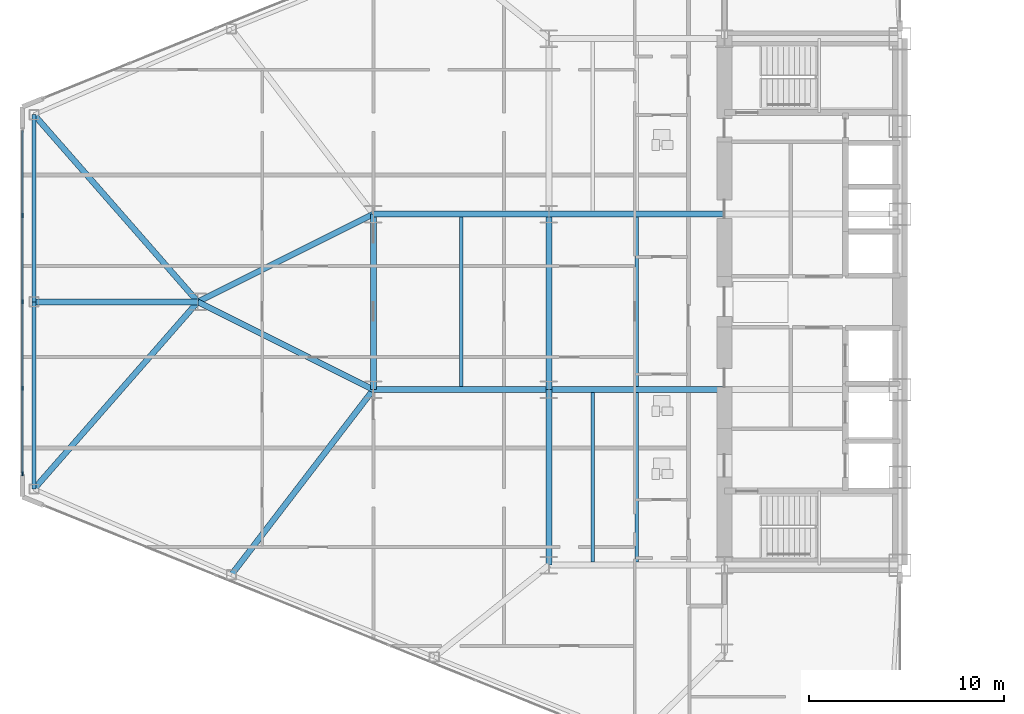
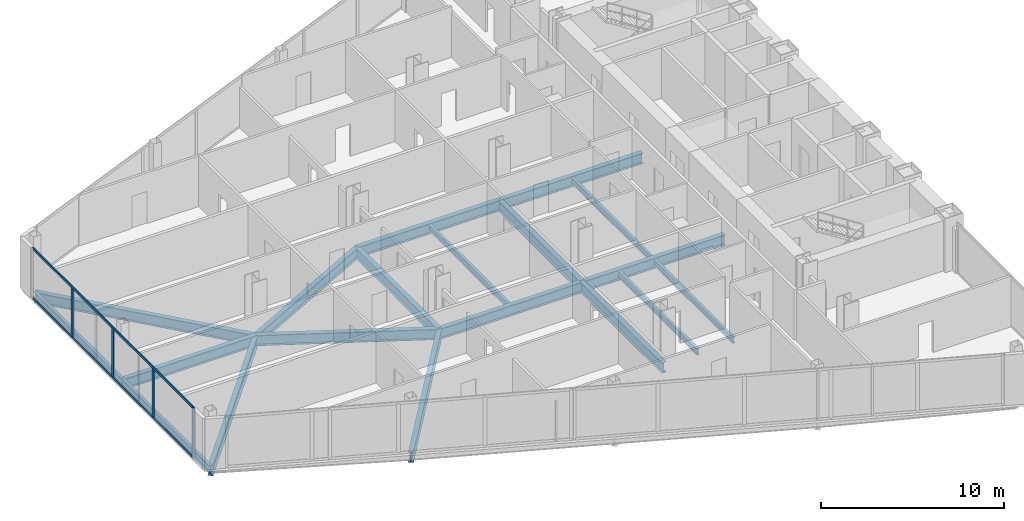
# One storey, part 4 of 25: 19 beams, 6 members, 1 element without a shape of its own.
"""IFC4 building model written with IfcOpenShell, lengths in metres."""

from ifc_helpers import new_model, si_unit, direction, frame, origin, origin_2d, place, context, subcontext, project, spatial, rectangle, i_section, extrude, source, transform, mapped, material, layer, layer_set, material_profile, profile_set, type_object, type_shapes, element, aggregate, save


model = new_model("IFC4")

# Units and contexts
model_context = context("Model", 3, precision=1e-05, world=origin(), true_north=direction((0.0, 1.0)))
body_context = subcontext(model_context, "Body", "Model", "MODEL_VIEW")
ifc_project = project(units=[si_unit("LENGTHUNIT", "METRE"), si_unit("AREAUNIT", "SQUARE_METRE"), si_unit("VOLUMEUNIT", "CUBIC_METRE"), si_unit("PLANEANGLEUNIT", "RADIAN"), si_unit("MASSUNIT", "GRAM", prefix="KILO")], contexts=[model_context])

# Site, building, storey
site_placement = place(None, origin())
site = spatial("IfcSite", under=ifc_project, at=site_placement, CompositionType="ELEMENT")
building_placement = place(site_placement, origin())
building = spatial("IfcBuilding", under=site, at=building_placement, Name="Seokmaru Belvedere", CompositionType="ELEMENT")
storey_placement = place(building_placement, frame((0.0, 0.0, 22.5)))
storey = spatial("IfcBuildingStorey", under=building, at=storey_placement, Name="L05", CompositionType="ELEMENT", Elevation=22.5)

# Beams
ifc_material_1 = material(Name="Steel SM355 (355 MPa)", Category="steel")
ifc_material_profile_1 = material_profile(ifc_material_1, i_section(OverallWidth=0.300048828125, OverallDepth=0.699951171875, WebThickness=0.012939453125, FlangeThickness=0.02392578125, at=origin_2d()), Name="H-700x300x13x24")
ifc_profile_set_1 = profile_set([ifc_material_profile_1], Name="Steel SM355 (355 MPa)")
beam_type_1 = type_object("IfcBeamType", Name="Primary Floor Girder H-700", PredefinedType="BEAM", material=ifc_profile_set_1)
shared_shape_1 = source(origin(), body_context, "Body", "SweptSolid", [
    extrude(i_section(OverallWidth=0.300048828125, OverallDepth=0.699951171875, WebThickness=0.012939453125, FlangeThickness=0.02392578125, at=origin_2d()), origin(), (0.0, 0.0, 1.0), 9.0),
])
for number, where, z_axis, x_axis, name in (
    (1, (-45.5, -13.5, -0.570068359375), (0.0, 1.0, 0.0), (-1.0, 0.0, 0.0), "L05 W Interior Grid Girder 1"),
    (2, (-45.5, -4.5, -0.570068359375), (0.0, 1.0, 0.0), (-1.0, 0.0, 0.0), "L05 W Interior Grid Girder 2"),
    (3, (-45.5, -4.5, -0.570068359375), (1.0, 0.0, 0.0), (0.0, 1.0, 0.0), "L05 W Wing Primary Girder 2"),
    (4, (-45.5, 4.5, -0.570068359375), (1.0, 0.0, 0.0), (0.0, 1.0, 0.0), "L05 W Wing Primary Girder 3"),
    (5, (-54.5, -4.5, -0.570068359375), (1.0, 0.0, 0.0), (0.0, 1.0, 0.0), "L05 W Outer Wing Girder 1"),
    (6, (-54.5, 4.5, -0.570068359375), (1.0, 0.0, 0.0), (0.0, 1.0, 0.0), "L05 W Outer Wing Girder 2"),
    (7, (-54.5, -4.5, -0.570068359375), (0.0, 1.0, 0.0), (-1.0, 0.0, 0.0), "L05 W Apex Frame Girder"),
):
    element("IfcBeam", number, at=place(storey_placement, frame(where, z_axis=z_axis, x_axis=x_axis)), inside=storey, type_object=beam_type_1, Name=name, PredefinedType="BEAM", context=body_context, shape_type="MappedRepresentation", body=[
        mapped(shared_shape_1, transform((0.0, 0.0, 0.0), scale=1.0)),
    ])
shared_shape_2 = source(origin(), body_context, "Body", "SweptSolid", [
    extrude(i_section(OverallWidth=0.300048828125, OverallDepth=0.699951171875, WebThickness=0.012939453125, FlangeThickness=0.02392578125, at=origin_2d()), origin(), (0.0, 0.0, 1.0), 10.062255859375),
])
for number, where, z_axis, x_axis, name in (
    (8, (-54.5, -4.5, -0.570068359375), (-0.894427191, 0.4472135955, 0.0), (-0.4472135955, -0.894427191, 0.0), "L05 W Apex Converging Girder 1"),
    (9, (-54.5, 4.5, -0.570068359375), (-0.894427191, -0.4472135955, 0.0), (0.4472135955, -0.894427191, 0.0), "L05 W Apex Converging Girder 2"),
):
    element("IfcBeam", number, at=place(storey_placement, frame(where, z_axis=z_axis, x_axis=x_axis)), inside=storey, type_object=beam_type_1, Name=name, PredefinedType="BEAM", context=body_context, shape_type="MappedRepresentation", body=[
        mapped(shared_shape_2, transform((0.0, 0.0, 0.0), scale=1.0)),
    ])
ifc_material_profile_2 = material_profile(ifc_material_1, i_section(OverallWidth=0.18505859375, OverallDepth=0.389892578125, WebThickness=0.008056640625, FlangeThickness=0.011962890625, at=origin_2d()), Name="H-390x185x8x12")
ifc_profile_set_2 = profile_set([ifc_material_profile_2], Name="Steel SM355 (355 MPa)")
beam_type_2 = type_object("IfcBeamType", Name="Secondary Floor Joist H-350", PredefinedType="JOIST", material=ifc_profile_set_2)
shared_shape_3 = source(origin(), body_context, "Body", "SweptSolid", [
    extrude(i_section(OverallWidth=0.18505859375, OverallDepth=0.389892578125, WebThickness=0.008056640625, FlangeThickness=0.011962890625, at=origin_2d()), origin(), (0.0, 0.0, 1.0), 8.68994140625),
])
type_shapes(beam_type_2, [shared_shape_3])
for number, where, z_axis, x_axis, name in (
    (10, (-43.25, -13.344970703125, -0.4150390625), (0.0, 1.0, 0.0), (-1.0, 0.0, 0.0), "L05 W Wing Inner Secondary Joist 1"),
    (11, (-41.0, -13.344970703125, -0.4150390625), (0.0, 1.0, 0.0), (-1.0, 0.0, 0.0), "L05 W Secondary Floor Joist 1"),
    (12, (-41.0, -4.344970703125, -0.4150390625), (0.0, 1.0, 0.0), (-1.0, 0.0, 0.0), "L05 W Secondary Floor Joist 2"),
    (13, (-50.0, -4.344970703125, -0.4150390625), (0.0, 1.0, 0.0), (-1.0, 0.0, 0.0), "L05 W Outer Bay Secondary Joist"),
):
    element("IfcBeam", number, at=place(storey_placement, frame(where, z_axis=z_axis, x_axis=x_axis)), inside=storey, type_object=beam_type_2, Name=name, PredefinedType="JOIST", context=body_context, shape_type="MappedRepresentation", body=[
        mapped(shared_shape_3, transform((0.0, 0.0, 0.0), scale=1.0)),
    ])
shared_shape_4 = source(origin(), body_context, "Body", "SweptSolid", [
    extrude(i_section(OverallWidth=0.300048828125, OverallDepth=0.699951171875, WebThickness=0.012939453125, FlangeThickness=0.02392578125, at=origin_2d()), origin(), (0.0, 0.0, 1.0), 12.7529296875),
])
for number, where, z_axis, x_axis, name in (
    (14, (-71.89990234375, -9.595703125, -0.570068359375), (0.658667231479, 0.752434368019, 0.0), (-0.752434368019, 0.658667231479, 0.0), "L05 W Apex Radial Floor Girder 1"),
    (15, (-71.89990234375, 9.595703125, -0.570068359375), (0.658667231479, -0.752434368019, 0.0), (0.752434368019, 0.658667231479, 0.0), "L05 W Apex Radial Floor Girder 2"),
):
    element("IfcBeam", number, at=place(storey_placement, frame(where, z_axis=z_axis, x_axis=x_axis)), inside=storey, type_object=beam_type_1, Name=name, PredefinedType="BEAM", context=body_context, shape_type="MappedRepresentation", body=[
        mapped(shared_shape_4, transform((0.0, 0.0, 0.0), scale=1.0)),
    ])
ifc_material_profile_3 = material_profile(ifc_material_1, i_section(OverallWidth=0.199951171875, OverallDepth=0.5, WebThickness=0.010009765625, FlangeThickness=0.01611328125, at=origin_2d()), Name="H-500x200x10x16")
ifc_profile_set_3 = profile_set([ifc_material_profile_3], Name="Steel SM355 (355 MPa)")
beam_type_3 = type_object("IfcBeamType", Name="Perimeter Spandrel Beam H-500", PredefinedType="SPANDREL", material=ifc_profile_set_3)
shared_shape_5 = source(origin(), body_context, "Body", "SweptSolid", [
    extrude(i_section(OverallWidth=0.199951171875, OverallDepth=0.5, WebThickness=0.010009765625, FlangeThickness=0.01611328125, at=origin_2d()), origin(), (0.0, 0.0, 1.0), 9.595703125),
])
type_shapes(beam_type_3, [shared_shape_5])
for number, where, z_axis, x_axis, name in (
    (16, (-71.89990234375, -9.595703125, -0.469970703125), (0.0, 1.0, 0.0), (-1.0, 0.0, 0.0), "L05 W Faceted Apex Spandrel S"),
    (17, (-71.89990234375, 0.0, -0.469970703125), (0.0, 1.0, 0.0), (-1.0, 0.0, 0.0), "L05 W Faceted Apex Spandrel N"),
):
    element("IfcBeam", number, at=place(storey_placement, frame(where, z_axis=z_axis, x_axis=x_axis)), inside=storey, type_object=beam_type_3, Name=name, PredefinedType="SPANDREL", context=body_context, shape_type="MappedRepresentation", body=[
        mapped(shared_shape_5, transform((0.0, 0.0, 0.0), scale=1.0)),
    ])
shared_shape_6 = source(origin(), body_context, "Body", "SweptSolid", [
    extrude(i_section(OverallWidth=0.300048828125, OverallDepth=0.699951171875, WebThickness=0.012939453125, FlangeThickness=0.02392578125, at=origin_2d()), origin(), (0.0, 0.0, 1.0), 11.96337890625),
])
beam_1_placement = place(storey_placement, frame((-61.779052734375, -13.994140625, -0.570068359375), z_axis=(0.608442682624, 0.793597821294, 0.0), x_axis=(-0.793597821294, 0.608442682624, 0.0)))
element("IfcBeam", 18, at=beam_1_placement, inside=storey, type_object=beam_type_1, Name="L05 W Flank Radial Floor Girder S-3", PredefinedType="BEAM", context=body_context, shape_type="MappedRepresentation", body=[
    mapped(shared_shape_6, transform((0.0, 0.0, 0.0), scale=1.0)),
])
shared_shape_7 = source(origin(), body_context, "Body", "SweptSolid", [
    extrude(i_section(OverallWidth=0.300048828125, OverallDepth=0.699951171875, WebThickness=0.012939453125, FlangeThickness=0.02392578125, at=origin_2d()), origin(), (0.0, 0.0, 1.0), 8.39990234375),
])
type_shapes(beam_type_1, [shared_shape_1, shared_shape_2, shared_shape_4, shared_shape_6, shared_shape_7])
beam_2_placement = place(storey_placement, frame((-71.89990234375, 0.0, -0.570068359375), z_axis=(1.0, 0.0, 0.0), x_axis=(0.0, 1.0, 0.0)))
element("IfcBeam", 19, at=beam_2_placement, inside=storey, type_object=beam_type_1, Name="L05 W Apex Center Radial Girder", PredefinedType="BEAM", context=body_context, shape_type="MappedRepresentation", body=[
    mapped(shared_shape_7, transform((0.0, 0.0, 0.0), scale=1.0)),
])

# Curtain wall, members
ifc_material_2 = material(Name="Bronze Triple Insulating Glass", Category="glass")
ifc_layer = layer(ifc_material_2, 0.2099609375)
ifc_layer_set = layer_set([ifc_layer], Name="Bronze Triple Insulating Glass")
curtain_wall_type = type_object("IfcCurtainWallType", Name="Low-Rise Faceted Crystal Curtain Wall System CW-2", PredefinedType="NOTDEFINED", material=ifc_layer_set)
curtain_wall_placement = place(storey_placement, origin())
curtain_wall = element("IfcCurtainWall", 20, at=curtain_wall_placement, inside=storey, type_object=curtain_wall_type, Name="L05 Curtain Wall WF4", PredefinedType="NOTDEFINED")
ifc_material_3 = material(Name="Anodised Bronze Aluminium", Category="aluminium")
ifc_material_profile_4 = material_profile(ifc_material_3, rectangle(XDim=0.074951171875, YDim=0.2099609375, at=origin_2d()), Name="CW-M-75x210")
ifc_profile_set_4 = profile_set([ifc_material_profile_4], Name="Anodised Bronze Aluminium")
member_type_1 = type_object("IfcMemberType", Name="Bronze Unitised Mullion 75x210", PredefinedType="MULLION", material=ifc_profile_set_4)
shared_shape_8 = source(origin(), body_context, "Body", "SweptSolid", [
    extrude(rectangle(XDim=0.074951171875, YDim=0.2099609375, at=origin_2d()), origin(), (0.0, 0.0, 1.0), 3.239990234375),
])
member_1_placement = place(storey_placement, frame((-72.5, 4.425048828125, 0.070068359375), z_axis=(0.0, 0.0, 1.0), x_axis=(1.0, 0.0, 0.0)))
member_1 = element("IfcMember", 21, at=member_1_placement, type_object=member_type_1, Name="CW:L05:WF4 Mullion 2", PredefinedType="MULLION", context=body_context, shape_type="MappedRepresentation", body=[
    mapped(shared_shape_8, transform((0.0, 0.0, 0.0), scale=1.0)),
])
member_2_placement = place(storey_placement, frame((-72.5, 0.0, 0.070068359375), z_axis=(0.0, 0.0, 1.0), x_axis=(1.0, 0.0, 0.0)))
member_2 = element("IfcMember", 22, at=member_2_placement, type_object=member_type_1, Name="CW:L05:WF4 Mullion 3", PredefinedType="MULLION", context=body_context, shape_type="MappedRepresentation", body=[
    mapped(shared_shape_8, transform((0.0, 0.0, 0.0), scale=1.0)),
])
member_3_placement = place(storey_placement, frame((-72.5, -4.425048828125, 0.070068359375), z_axis=(0.0, 0.0, 1.0), x_axis=(1.0, 0.0, 0.0)))
member_3 = element("IfcMember", 23, at=member_3_placement, type_object=member_type_1, Name="CW:L05:WF4 Mullion 4", PredefinedType="MULLION", context=body_context, shape_type="MappedRepresentation", body=[
    mapped(shared_shape_8, transform((0.0, 0.0, 0.0), scale=1.0)),
])
ifc_material_profile_5 = material_profile(ifc_material_3, rectangle(XDim=0.070068359375, YDim=0.1650390625, at=origin_2d()), Name="CW-T-70x165")
ifc_profile_set_5 = profile_set([ifc_material_profile_5], Name="Anodised Bronze Aluminium")
member_type_2 = type_object("IfcMemberType", Name="Bronze Unitised Transom 70x165", PredefinedType="USERDEFINED", material=ifc_profile_set_5)
shared_shape_9 = source(origin(), body_context, "Body", "SweptSolid", [
    extrude(rectangle(XDim=0.070068359375, YDim=0.1650390625, at=origin_2d()), origin(), (0.0, 0.0, 1.0), 17.5498046875),
])
type_shapes(member_type_2, [shared_shape_9])
member_4_placement = place(storey_placement, frame((-72.5, 8.77490234375, 0.034912109375), z_axis=(0.0, -1.0, 0.0), x_axis=(1.0, 0.0, 0.0)))
member_4 = element("IfcMember", 24, at=member_4_placement, type_object=member_type_2, Name="CW:L05:WF4 Continuous Transom 1", ObjectType="TRANSOM", PredefinedType="USERDEFINED", context=body_context, shape_type="MappedRepresentation", body=[
    mapped(shared_shape_9, transform((0.0, 0.0, 0.0), scale=1.0)),
])
member_5_placement = place(storey_placement, frame((-72.5, 8.77490234375, 3.344970703125), z_axis=(0.0, -1.0, 0.0), x_axis=(1.0, 0.0, 0.0)))
member_5 = element("IfcMember", 25, at=member_5_placement, type_object=member_type_2, Name="CW:L05:WF4 Continuous Transom 2", ObjectType="TRANSOM", PredefinedType="USERDEFINED", context=body_context, shape_type="MappedRepresentation", body=[
    mapped(shared_shape_9, transform((0.0, 0.0, 0.0), scale=1.0)),
])
shared_shape_10 = source(origin(), body_context, "Body", "SweptSolid", [
    extrude(rectangle(XDim=0.074951171875, YDim=0.2099609375, at=origin_2d()), origin(), (0.0, 0.0, 1.0), 3.3798828125),
])
type_shapes(member_type_1, [shared_shape_8, shared_shape_10])
member_6_placement = place(storey_placement, frame((-72.5, -8.8125, 0.0), z_axis=(0.0, 0.0, 1.0), x_axis=(1.0, 0.0, 0.0)))
member_6 = element("IfcMember", 26, at=member_6_placement, type_object=member_type_1, Name="CW:L05:WF4 Mullion 5", PredefinedType="MULLION", context=body_context, shape_type="MappedRepresentation", body=[
    mapped(shared_shape_10, transform((0.0, 0.0, 0.0), scale=1.0)),
])
aggregate(curtain_wall, [member_1, member_2, member_3, member_6, member_4, member_5])

save(model, "model.ifc")
